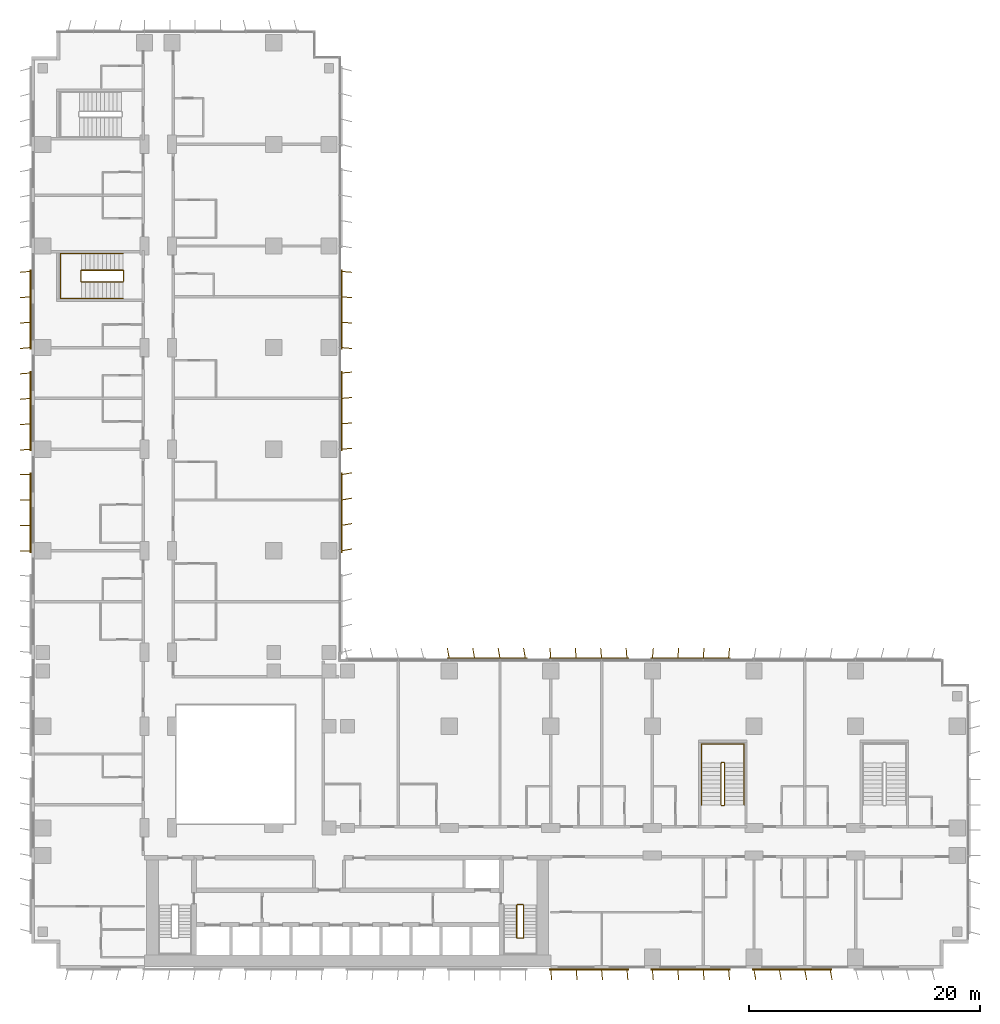
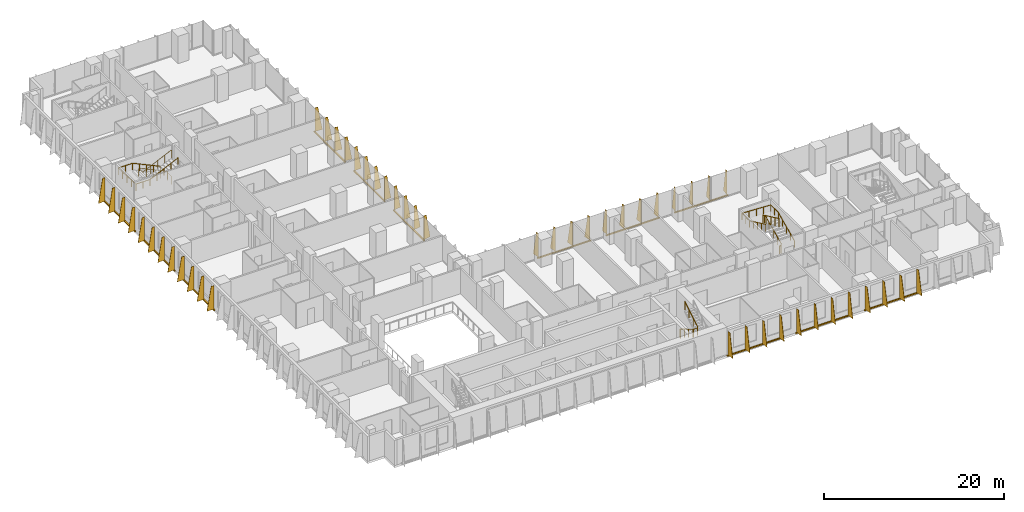
# One storey, part 22 of 24: 12 shading devices, 5 railings.
"""IFC4 building model written with IfcOpenShell, lengths in metres."""

from ifc_helpers import new_model, si_unit, direction, frame, origin, origin_2d, place, context, subcontext, project, spatial, polyline, rectangle, circle, outline, extrude, source, transform, mapped, material, layer, layer_set, type_object, element, save


model = new_model("IFC4")

# Units and contexts
model_context = context("Model", 3, precision=1e-05, world=origin(), true_north=direction((0.0, 1.0)))
body_context = subcontext(model_context, "Body", "Model", "MODEL_VIEW")
ifc_project = project(units=[si_unit("LENGTHUNIT", "METRE"), si_unit("AREAUNIT", "SQUARE_METRE"), si_unit("VOLUMEUNIT", "CUBIC_METRE"), si_unit("PLANEANGLEUNIT", "RADIAN"), si_unit("MASSUNIT", "GRAM", prefix="KILO")], contexts=[model_context])

# Site, building, storey
site_placement = place(None, origin())
site = spatial("IfcSite", under=ifc_project, at=site_placement, CompositionType="ELEMENT")
building_placement = place(site_placement, origin())
building = spatial("IfcBuilding", under=site, at=building_placement, Name="Kemantara Hotel Tower", CompositionType="ELEMENT")
storey_placement = place(building_placement, frame((0.0, 0.0, 52.5)))
storey = spatial("IfcBuildingStorey", under=building, at=storey_placement, Name="L11", CompositionType="ELEMENT", Elevation=52.5)

# Railings
ifc_material_1 = material(Name="Stainless steel balustrade", Category="steel")
railing_type_1 = type_object("IfcRailingType", Name="Stair guard 1100 mm", PredefinedType="GUARDRAIL", material=ifc_material_1)
railing_1_placement = place(storey_placement, frame((42.64990234375, 5.5, 3.699951171875)))
element("IfcRailing", 1, at=railing_1_placement, inside=storey, type_object=railing_type_1, Name="L11 ST2 stair guard 1", PredefinedType="GUARDRAIL", context=body_context, shape_type="SweptSolid", body=[
    extrude(circle(Radius=0.02392578125, at=origin_2d()), frame((0.0, 0.0, 1.076171875), z_axis=(0.0, -0.857242210791, -0.514913383045), x_axis=(1.0, 0.0, 0.0)), (0.0, 0.0, 1.0), 3.266357421875),
    extrude(circle(Radius=0.02392578125, at=origin_2d()), frame((0.0, -2.800048828125, -0.60595703125), z_axis=(-0.273343290215, -0.274683208305, -0.921863645432), x_axis=(0.708833529934, -0.705375805398, 0.0)), (0.0, 0.0, 1.0), 0.18212890625),
    extrude(circle(Radius=0.02392578125, at=origin_2d()), frame((-0.0498046875, -2.85009765625, -0.77392578125), z_axis=(-1.0, 0.0, 0.0), x_axis=(0.0, -1.0, 0.0)), (0.0, 0.0, 1.0), 0.5),
    extrude(circle(Radius=0.02392578125, at=origin_2d()), frame((-0.5498046875, -2.85009765625, -0.77392578125), z_axis=(-0.707106781187, 0.707106781187, 0.0), x_axis=(-0.707106781187, -0.707106781187, 0.0)), (0.0, 0.0, 1.0), 0.07080078125),
    extrude(circle(Radius=0.02392578125, at=origin_2d()), frame((-0.599853515625, -2.800048828125, -0.77392578125), z_axis=(0.0, 0.857242210791, -0.514913383045), x_axis=(-1.0, 0.0, 0.0)), (0.0, 0.0, 1.0), 3.266357421875),
    extrude(circle(Radius=0.02392578125, at=origin_2d()), frame((-0.599853515625, 0.0, -2.45556640625), z_axis=(0.274243871929, 0.274243871929, -0.92172696468), x_axis=(-0.707106781187, 0.707106781187, 0.0)), (0.0, 0.0, 1.0), 0.1826171875),
    extrude(circle(Radius=0.02392578125, at=origin_2d()), frame((-0.5498046875, 0.050048828125, -2.6240234375), z_axis=(1.0, 0.0, 0.0), x_axis=(0.0, 1.0, 0.0)), (0.0, 0.0, 1.0), 0.5),
    extrude(circle(Radius=0.02099609375, at=origin_2d()), origin(), (0.0, 0.0, 1.0), 1.052001953125),
    extrude(circle(Radius=0.02099609375, at=origin_2d()), frame((0.0, -0.933349609375, -0.560546875)), (0.0, 0.0, 1.0), 1.052001953125),
    extrude(circle(Radius=0.02099609375, at=origin_2d()), frame((0.0, -1.86669921875, -1.121337890625)), (0.0, 0.0, 1.0), 1.052001953125),
    extrude(circle(Radius=0.02099609375, at=origin_2d()), frame((0.0, -2.800048828125, -1.681884765625)), (0.0, 0.0, 1.0), 1.052001953125),
    extrude(circle(Radius=0.02099609375, at=origin_2d()), frame((-0.0498046875, -2.85009765625, -1.849853515625)), (0.0, 0.0, 1.0), 1.052001953125),
    extrude(circle(Radius=0.02099609375, at=origin_2d()), frame((-0.5498046875, -2.85009765625, -1.849853515625)), (0.0, 0.0, 1.0), 1.052001953125),
    extrude(circle(Radius=0.02099609375, at=origin_2d()), frame((-0.599853515625, -2.800048828125, -1.849853515625)), (0.0, 0.0, 1.0), 1.052001953125),
    extrude(circle(Radius=0.02099609375, at=origin_2d()), frame((-0.599853515625, -1.86669921875, -2.410400390625)), (0.0, 0.0, 1.0), 1.052001953125),
    extrude(circle(Radius=0.02099609375, at=origin_2d()), frame((-0.599853515625, -0.933349609375, -2.97119140625)), (0.0, 0.0, 1.0), 1.052001953125),
    extrude(circle(Radius=0.02099609375, at=origin_2d()), frame((-0.599853515625, 0.0, -3.53173828125)), (0.0, 0.0, 1.0), 1.052001953125),
    extrude(circle(Radius=0.02099609375, at=origin_2d()), frame((-0.5498046875, 0.050048828125, -3.699951171875)), (0.0, 0.0, 1.0), 1.052001953125),
    extrude(circle(Radius=0.02099609375, at=origin_2d()), frame((-0.0498046875, 0.050048828125, -3.699951171875)), (0.0, 0.0, 1.0), 1.052001953125),
])
railing_2_placement = place(storey_placement, frame((59.75, 14.199951171875, 3.699951171875)))
element("IfcRailing", 2, at=railing_2_placement, inside=storey, type_object=railing_type_1, Name="L11 ST3 stair guard 1", PredefinedType="GUARDRAIL", context=body_context, shape_type="SweptSolid", body=[
    extrude(circle(Radius=0.02392578125, at=origin_2d()), frame((0.0, 0.0, 1.076171875), z_axis=(0.0, 0.906005689286, -0.423265508849), x_axis=(-1.0, 0.0, 0.0)), (0.0, 0.0, 1.0), 3.9736328125),
    extrude(circle(Radius=0.02392578125, at=origin_2d()), frame((0.0, 3.60009765625, -0.60595703125), z_axis=(0.274582412415, 0.274582412415, -0.921525364591), x_axis=(-0.707106781187, 0.707106781187, 0.0)), (0.0, 0.0, 1.0), 0.182373046875),
    extrude(circle(Radius=0.02392578125, at=origin_2d()), frame((0.050048828125, 3.650146484375, -0.77392578125), z_axis=(1.0, 0.0, 0.0), x_axis=(0.0, 1.0, 0.0)), (0.0, 0.0, 1.0), 0.199951171875),
    extrude(circle(Radius=0.02392578125, at=origin_2d()), frame((0.25, 3.650146484375, -0.77392578125), z_axis=(0.707106781187, -0.707106781187, 0.0), x_axis=(0.707106781187, 0.707106781187, 0.0)), (0.0, 0.0, 1.0), 0.07080078125),
    extrude(circle(Radius=0.02392578125, at=origin_2d()), frame((0.300048828125, 3.60009765625, -0.77392578125), z_axis=(0.0, -0.906005689286, -0.423265508849), x_axis=(1.0, 0.0, 0.0)), (0.0, 0.0, 1.0), 3.9736328125),
    extrude(circle(Radius=0.02392578125, at=origin_2d()), frame((0.300048828125, 0.0, -2.45556640625), z_axis=(-0.274243871929, -0.274243871929, -0.92172696468), x_axis=(0.707106781187, -0.707106781187, 0.0)), (0.0, 0.0, 1.0), 0.1826171875),
    extrude(circle(Radius=0.02392578125, at=origin_2d()), frame((0.25, -0.050048828125, -2.6240234375), z_axis=(-1.0, 0.0, 0.0), x_axis=(0.0, -1.0, 0.0)), (0.0, 0.0, 1.0), 0.199951171875),
    extrude(circle(Radius=0.02099609375, at=origin_2d()), origin(), (0.0, 0.0, 1.0), 1.052001953125),
    extrude(circle(Radius=0.02099609375, at=origin_2d()), frame((0.0, 0.89990234375, -0.42041015625)), (0.0, 0.0, 1.0), 1.052001953125),
    extrude(circle(Radius=0.02099609375, at=origin_2d()), frame((0.0, 1.800048828125, -0.8408203125)), (0.0, 0.0, 1.0), 1.052001953125),
    extrude(circle(Radius=0.02099609375, at=origin_2d()), frame((0.0, 2.7001953125, -1.261474609375)), (0.0, 0.0, 1.0), 1.052001953125),
    extrude(circle(Radius=0.02099609375, at=origin_2d()), frame((0.0, 3.60009765625, -1.681884765625)), (0.0, 0.0, 1.0), 1.052001953125),
    extrude(circle(Radius=0.02099609375, at=origin_2d()), frame((0.050048828125, 3.650146484375, -1.849853515625)), (0.0, 0.0, 1.0), 1.052001953125),
    extrude(circle(Radius=0.02099609375, at=origin_2d()), frame((0.25, 3.650146484375, -1.849853515625)), (0.0, 0.0, 1.0), 1.052001953125),
    extrude(circle(Radius=0.02099609375, at=origin_2d()), frame((0.300048828125, 3.60009765625, -1.849853515625)), (0.0, 0.0, 1.0), 1.052001953125),
    extrude(circle(Radius=0.02099609375, at=origin_2d()), frame((0.300048828125, 2.7001953125, -2.270263671875)), (0.0, 0.0, 1.0), 1.052001953125),
    extrude(circle(Radius=0.02099609375, at=origin_2d()), frame((0.300048828125, 1.800048828125, -2.69091796875)), (0.0, 0.0, 1.0), 1.052001953125),
    extrude(circle(Radius=0.02099609375, at=origin_2d()), frame((0.300048828125, 0.89990234375, -3.111328125)), (0.0, 0.0, 1.0), 1.052001953125),
    extrude(circle(Radius=0.02099609375, at=origin_2d()), frame((0.300048828125, 0.0, -3.53173828125)), (0.0, 0.0, 1.0), 1.052001953125),
    extrude(circle(Radius=0.02099609375, at=origin_2d()), frame((0.25, -0.050048828125, -3.699951171875)), (0.0, 0.0, 1.0), 1.052001953125),
    extrude(circle(Radius=0.02099609375, at=origin_2d()), frame((0.050048828125, -0.050048828125, -3.699951171875)), (0.0, 0.0, 1.0), 1.052001953125),
])
railing_3_placement = place(storey_placement, frame((7.949951171875, 59.5, 3.699951171875)))
element("IfcRailing", 3, at=railing_3_placement, inside=storey, type_object=railing_type_1, Name="L11 ST4 stair guard 1", PredefinedType="GUARDRAIL", context=body_context, shape_type="SweptSolid", body=[
    extrude(circle(Radius=0.02392578125, at=origin_2d()), frame((0.0, 0.0, 1.076171875), z_axis=(-0.905994681025, 0.0, -0.423289071386), x_axis=(0.0, -1.0, 0.0)), (0.0, 0.0, 1.0), 3.973388671875),
    extrude(circle(Radius=0.02392578125, at=origin_2d()), frame((-3.599853515625, 0.0, -0.60595703125), z_axis=(-0.274582412415, 0.274582412415, -0.921525364591), x_axis=(-0.707106781187, -0.707106781187, 0.0)), (0.0, 0.0, 1.0), 0.182373046875),
    extrude(circle(Radius=0.02392578125, at=origin_2d()), frame((-3.64990234375, 0.050048828125, -0.77392578125), z_axis=(0.0, 1.0, 0.0), x_axis=(-1.0, 0.0, 0.0)), (0.0, 0.0, 1.0), 0.89990234375),
    extrude(circle(Radius=0.02392578125, at=origin_2d()), frame((-3.64990234375, 0.949951171875, -0.77392578125), z_axis=(0.707106781187, 0.707106781187, 0.0), x_axis=(-0.707106781187, 0.707106781187, 0.0)), (0.0, 0.0, 1.0), 0.07080078125),
    extrude(circle(Radius=0.02392578125, at=origin_2d()), frame((-3.599853515625, 1.0, -0.77392578125), z_axis=(0.905994681025, 0.0, -0.423289071386), x_axis=(0.0, 1.0, 0.0)), (0.0, 0.0, 1.0), 3.973388671875),
    extrude(circle(Radius=0.02392578125, at=origin_2d()), frame((0.0, 1.0, -2.45556640625), z_axis=(0.274243871929, -0.274243871929, -0.92172696468), x_axis=(0.707106781187, 0.707106781187, 0.0)), (0.0, 0.0, 1.0), 0.1826171875),
    extrude(circle(Radius=0.02392578125, at=origin_2d()), frame((0.050048828125, 0.949951171875, -2.6240234375), z_axis=(0.0, -1.0, 0.0), x_axis=(1.0, 0.0, 0.0)), (0.0, 0.0, 1.0), 0.89990234375),
    extrude(circle(Radius=0.02099609375, at=origin_2d()), origin(), (0.0, 0.0, 1.0), 1.052001953125),
    extrude(circle(Radius=0.02099609375, at=origin_2d()), frame((-0.89990234375, 0.0, -0.42041015625)), (0.0, 0.0, 1.0), 1.052001953125),
    extrude(circle(Radius=0.02099609375, at=origin_2d()), frame((-1.7998046875, 0.0, -0.8408203125)), (0.0, 0.0, 1.0), 1.052001953125),
    extrude(circle(Radius=0.02099609375, at=origin_2d()), frame((-2.699951171875, 0.0, -1.261474609375)), (0.0, 0.0, 1.0), 1.052001953125),
    extrude(circle(Radius=0.02099609375, at=origin_2d()), frame((-3.599853515625, 0.0, -1.681884765625)), (0.0, 0.0, 1.0), 1.052001953125),
    extrude(circle(Radius=0.02099609375, at=origin_2d()), frame((-3.64990234375, 0.050048828125, -1.849853515625)), (0.0, 0.0, 1.0), 1.052001953125),
    extrude(circle(Radius=0.02099609375, at=origin_2d()), frame((-3.64990234375, 0.949951171875, -1.849853515625)), (0.0, 0.0, 1.0), 1.052001953125),
    extrude(circle(Radius=0.02099609375, at=origin_2d()), frame((-3.599853515625, 1.0, -1.849853515625)), (0.0, 0.0, 1.0), 1.052001953125),
    extrude(circle(Radius=0.02099609375, at=origin_2d()), frame((-2.699951171875, 1.0, -2.270263671875)), (0.0, 0.0, 1.0), 1.052001953125),
    extrude(circle(Radius=0.02099609375, at=origin_2d()), frame((-1.7998046875, 1.0, -2.69091796875)), (0.0, 0.0, 1.0), 1.052001953125),
    extrude(circle(Radius=0.02099609375, at=origin_2d()), frame((-0.89990234375, 1.0, -3.111328125)), (0.0, 0.0, 1.0), 1.052001953125),
    extrude(circle(Radius=0.02099609375, at=origin_2d()), frame((0.0, 1.0, -3.53173828125)), (0.0, 0.0, 1.0), 1.052001953125),
    extrude(circle(Radius=0.02099609375, at=origin_2d()), frame((0.050048828125, 0.949951171875, -3.699951171875)), (0.0, 0.0, 1.0), 1.052001953125),
    extrude(circle(Radius=0.02099609375, at=origin_2d()), frame((0.050048828125, 0.050048828125, -3.699951171875)), (0.0, 0.0, 1.0), 1.052001953125),
])
railing_type_2 = type_object("IfcRailingType", Name="Stair handrail 900 mm", PredefinedType="HANDRAIL", material=ifc_material_1)
railing_4_placement = place(storey_placement, frame((61.75, 14.199951171875, 0.168212890625)))
element("IfcRailing", 4, at=railing_4_placement, inside=storey, type_object=railing_type_2, Name="L11 ST3 stair handrail 1", PredefinedType="HANDRAIL", context=body_context, shape_type="SweptSolid", body=[
    extrude(circle(Radius=0.02392578125, at=origin_2d()), frame((0.0, 0.0, 0.8759765625), z_axis=(0.0, 0.906005689286, 0.423265508849), x_axis=(-1.0, 0.0, 0.0)), (0.0, 0.0, 1.0), 3.9736328125),
    extrude(circle(Radius=0.02392578125, at=origin_2d()), frame((0.0, 3.60009765625, 2.5576171875), z_axis=(0.0, 1.0, 0.0), x_axis=(-1.0, 0.0, 0.0)), (0.0, 0.0, 1.0), 1.679931640625),
    extrude(circle(Radius=0.02392578125, at=origin_2d()), frame((0.0, 5.280029296875, 2.5576171875), z_axis=(-0.998971120908, 0.0, 0.045350849963), x_axis=(0.0, -1.0, 0.0)), (0.0, 0.0, 1.0), 3.703857421875),
    extrude(circle(Radius=0.02392578125, at=origin_2d()), frame((-3.699951171875, 5.280029296875, 2.7255859375), z_axis=(0.0, -1.0, 0.0), x_axis=(1.0, 0.0, 0.0)), (0.0, 0.0, 1.0), 1.679931640625),
    extrude(circle(Radius=0.02392578125, at=origin_2d()), frame((-3.699951171875, 3.60009765625, 2.7255859375), z_axis=(0.0, -0.906005689286, 0.423265508849), x_axis=(1.0, 0.0, 0.0)), (0.0, 0.0, 1.0), 3.9736328125),
    extrude(circle(Radius=0.02099609375, at=origin_2d()), origin(), (0.0, 0.0, 1.0), 0.851806640625),
    extrude(circle(Radius=0.02099609375, at=origin_2d()), frame((0.0, 0.89990234375, 0.42041015625)), (0.0, 0.0, 1.0), 0.851806640625),
    extrude(circle(Radius=0.02099609375, at=origin_2d()), frame((0.0, 1.800048828125, 0.8408203125)), (0.0, 0.0, 1.0), 0.851806640625),
    extrude(circle(Radius=0.02099609375, at=origin_2d()), frame((0.0, 2.7001953125, 1.261474609375)), (0.0, 0.0, 1.0), 0.851806640625),
    extrude(circle(Radius=0.02099609375, at=origin_2d()), frame((0.0, 3.60009765625, 1.681884765625)), (0.0, 0.0, 1.0), 0.851806640625),
    extrude(circle(Radius=0.02099609375, at=origin_2d()), frame((0.0, 4.43994140625, 1.681884765625)), (0.0, 0.0, 1.0), 0.851806640625),
    extrude(circle(Radius=0.02099609375, at=origin_2d()), frame((0.0, 5.280029296875, 1.681884765625)), (0.0, 0.0, 1.0), 0.851806640625),
    extrude(circle(Radius=0.02099609375, at=origin_2d()), frame((-0.925048828125, 5.280029296875, 1.723876953125)), (0.0, 0.0, 1.0), 0.851806640625),
    extrude(circle(Radius=0.02099609375, at=origin_2d()), frame((-1.85009765625, 5.280029296875, 1.765869140625)), (0.0, 0.0, 1.0), 0.851806640625),
    extrude(circle(Radius=0.02099609375, at=origin_2d()), frame((-2.77490234375, 5.280029296875, 1.807861328125)), (0.0, 0.0, 1.0), 0.851806640625),
    extrude(circle(Radius=0.02099609375, at=origin_2d()), frame((-3.699951171875, 5.280029296875, 1.849853515625)), (0.0, 0.0, 1.0), 0.851806640625),
    extrude(circle(Radius=0.02099609375, at=origin_2d()), frame((-3.699951171875, 4.43994140625, 1.849853515625)), (0.0, 0.0, 1.0), 0.851806640625),
    extrude(circle(Radius=0.02099609375, at=origin_2d()), frame((-3.699951171875, 3.60009765625, 1.849853515625)), (0.0, 0.0, 1.0), 0.851806640625),
    extrude(circle(Radius=0.02099609375, at=origin_2d()), frame((-3.699951171875, 2.7001953125, 2.270263671875)), (0.0, 0.0, 1.0), 0.851806640625),
    extrude(circle(Radius=0.02099609375, at=origin_2d()), frame((-3.699951171875, 1.800048828125, 2.69091796875)), (0.0, 0.0, 1.0), 0.851806640625),
    extrude(circle(Radius=0.02099609375, at=origin_2d()), frame((-3.699951171875, 0.89990234375, 3.111328125)), (0.0, 0.0, 1.0), 0.851806640625),
    extrude(circle(Radius=0.02099609375, at=origin_2d()), frame((-3.699951171875, 0.0, 3.53173828125)), (0.0, 0.0, 1.0), 0.851806640625),
])
railing_5_placement = place(storey_placement, frame((7.949951171875, 61.949951171875, 0.168212890625)))
element("IfcRailing", 5, at=railing_5_placement, inside=storey, type_object=railing_type_2, Name="L11 ST4 stair handrail 1", PredefinedType="HANDRAIL", context=body_context, shape_type="SweptSolid", body=[
    extrude(circle(Radius=0.02392578125, at=origin_2d()), frame((0.0, 0.0, 0.8759765625), z_axis=(-0.905994681025, 0.0, 0.423289071386), x_axis=(0.0, -1.0, 0.0)), (0.0, 0.0, 1.0), 3.973388671875),
    extrude(circle(Radius=0.02392578125, at=origin_2d()), frame((-3.599853515625, 0.0, 2.5576171875), z_axis=(-1.0, 0.0, 0.0), x_axis=(0.0, -1.0, 0.0)), (0.0, 0.0, 1.0), 1.830078125),
    extrude(circle(Radius=0.02392578125, at=origin_2d()), frame((-5.429931640625, 0.0, 2.5576171875), z_axis=(0.0, -0.999073776461, 0.043030096294), x_axis=(1.0, 0.0, 0.0)), (0.0, 0.0, 1.0), 3.903564453125),
    extrude(circle(Radius=0.02392578125, at=origin_2d()), frame((-5.429931640625, -3.89990234375, 2.7255859375), z_axis=(1.0, 0.0, 0.0), x_axis=(0.0, 1.0, 0.0)), (0.0, 0.0, 1.0), 1.830078125),
    extrude(circle(Radius=0.02392578125, at=origin_2d()), frame((-3.599853515625, -3.89990234375, 2.7255859375), z_axis=(0.905994681025, 0.0, 0.423289071386), x_axis=(0.0, 1.0, 0.0)), (0.0, 0.0, 1.0), 3.973388671875),
    extrude(circle(Radius=0.02099609375, at=origin_2d()), origin(), (0.0, 0.0, 1.0), 0.851806640625),
    extrude(circle(Radius=0.02099609375, at=origin_2d()), frame((-0.89990234375, 0.0, 0.42041015625)), (0.0, 0.0, 1.0), 0.851806640625),
    extrude(circle(Radius=0.02099609375, at=origin_2d()), frame((-1.7998046875, 0.0, 0.8408203125)), (0.0, 0.0, 1.0), 0.851806640625),
    extrude(circle(Radius=0.02099609375, at=origin_2d()), frame((-2.699951171875, 0.0, 1.261474609375)), (0.0, 0.0, 1.0), 0.851806640625),
    extrude(circle(Radius=0.02099609375, at=origin_2d()), frame((-3.599853515625, 0.0, 1.681884765625)), (0.0, 0.0, 1.0), 0.851806640625),
    extrude(circle(Radius=0.02099609375, at=origin_2d()), frame((-4.514892578125, 0.0, 1.681884765625)), (0.0, 0.0, 1.0), 0.851806640625),
    extrude(circle(Radius=0.02099609375, at=origin_2d()), frame((-5.429931640625, 0.0, 1.681884765625)), (0.0, 0.0, 1.0), 0.851806640625),
    extrude(circle(Radius=0.02099609375, at=origin_2d()), frame((-5.429931640625, -0.97509765625, 1.723876953125)), (0.0, 0.0, 1.0), 0.851806640625),
    extrude(circle(Radius=0.02099609375, at=origin_2d()), frame((-5.429931640625, -1.949951171875, 1.765869140625)), (0.0, 0.0, 1.0), 0.851806640625),
    extrude(circle(Radius=0.02099609375, at=origin_2d()), frame((-5.429931640625, -2.9248046875, 1.807861328125)), (0.0, 0.0, 1.0), 0.851806640625),
    extrude(circle(Radius=0.02099609375, at=origin_2d()), frame((-5.429931640625, -3.89990234375, 1.849853515625)), (0.0, 0.0, 1.0), 0.851806640625),
    extrude(circle(Radius=0.02099609375, at=origin_2d()), frame((-4.514892578125, -3.89990234375, 1.849853515625)), (0.0, 0.0, 1.0), 0.851806640625),
    extrude(circle(Radius=0.02099609375, at=origin_2d()), frame((-3.599853515625, -3.89990234375, 1.849853515625)), (0.0, 0.0, 1.0), 0.851806640625),
    extrude(circle(Radius=0.02099609375, at=origin_2d()), frame((-2.699951171875, -3.89990234375, 2.270263671875)), (0.0, 0.0, 1.0), 0.851806640625),
    extrude(circle(Radius=0.02099609375, at=origin_2d()), frame((-1.7998046875, -3.89990234375, 2.69091796875)), (0.0, 0.0, 1.0), 0.851806640625),
    extrude(circle(Radius=0.02099609375, at=origin_2d()), frame((-0.89990234375, -3.89990234375, 3.111328125)), (0.0, 0.0, 1.0), 0.851806640625),
    extrude(circle(Radius=0.02099609375, at=origin_2d()), frame((0.0, -3.89990234375, 3.53173828125)), (0.0, 0.0, 1.0), 0.851806640625),
])

# Shading devices
ifc_material_2 = material(Name="Perforated aluminium plate 4 mm bronze anodised", Category="aluminium")
ifc_layer_1 = layer(ifc_material_2, 0.0400390625)
ifc_layer_set_1 = layer_set([ifc_layer_1], Name="Perforated aluminium plate 4 mm bronze anodised")
shading_device_type_1 = type_object("IfcShadingDeviceType", Name="SCREEN FIN CASSETTE, 4 BLADES AT -5.0 DEG, 3200 HIGH", PredefinedType="USERDEFINED", material=ifc_layer_set_1)
shared_shape_1 = source(origin(), body_context, "Body", "SweptSolid", [
    extrude(rectangle(XDim=6.89990234375, YDim=0.14990234375, at=origin_2d()), frame((3.300048828125, -0.074951171875, -0.14990234375), z_axis=(0.0, 0.0, 1.0), x_axis=(1.0, 0.0, 0.0)), (0.0, 0.0, 1.0), 0.14990234375),
    extrude(outline(polyline([(0.0, 0.0), (0.89990234375, 0.0), (0.35009765625, 3.199951171875), (0.0, 3.199951171875), (0.0, 0.0)])), frame((0.02001953125, -0.07666015625, 0.0), z_axis=(-0.996376129781, 0.085056498884, 0.0), x_axis=(-0.085056498884, -0.996376129781, 0.0)), (0.0, 0.0, 1.0), 0.040283203125),
    extrude(outline(polyline([(0.0, 0.0), (0.89990234375, 0.0), (0.35009765625, 3.199951171875), (0.0, 3.199951171875), (0.0, 0.0)])), frame((2.219970703125, -0.07666015625, 0.0), z_axis=(-0.996331773833, 0.085574508182, 0.0), x_axis=(-0.085574508182, -0.996331773833, 0.0)), (0.0, 0.0, 1.0), 0.0400390625),
    extrude(outline(polyline([(0.0, 0.0), (0.89990234375, 0.0), (0.35009765625, 3.199951171875), (0.0, 3.199951171875), (0.0, 0.0)])), frame((4.419921875, -0.07666015625, 0.0), z_axis=(-0.996331773833, 0.085574508182, 0.0), x_axis=(-0.085574508182, -0.996331773833, 0.0)), (0.0, 0.0, 1.0), 0.0400390625),
    extrude(outline(polyline([(0.0, 0.0), (0.89990234375, 0.0), (0.35009765625, 3.199951171875), (0.0, 3.199951171875), (0.0, 0.0)])), frame((6.619873046875, -0.07666015625, 0.0), z_axis=(-0.996331773833, 0.085574508182, 0.0), x_axis=(-0.085574508182, -0.996331773833, 0.0)), (0.0, 0.0, 1.0), 0.0400390625),
])
for number, where, z_axis, x_axis, name in (
    (6, (60.39990234375, 26.800048828125, 0.10009765625), (0.0, 0.0, 1.0), (-1.0, 0.0, 0.0), "SCREEN FIN CASSETTE L11 T1-R07-3"),
    (7, (26.800048828125, 53.800048828125, 0.10009765625), (0.0, 0.0, 1.0), (0.0, 1.0, 0.0), "SCREEN FIN CASSETTE L11 T1-R08-4"),
):
    element("IfcShadingDevice", number, at=place(storey_placement, frame(where, z_axis=z_axis, x_axis=x_axis)), inside=storey, type_object=shading_device_type_1, Name=name, ObjectType="SCREEN FIN", PredefinedType="USERDEFINED", context=body_context, shape_type="MappedRepresentation", body=[
        mapped(shared_shape_1, transform((0.0, 0.0, 0.0))),
    ])
ifc_layer_2 = layer(ifc_material_2, 0.0400390625)
ifc_layer_set_2 = layer_set([ifc_layer_2], Name="Perforated aluminium plate 4 mm bronze anodised")
shading_device_type_2 = type_object("IfcShadingDeviceType", Name="SCREEN FIN CASSETTE, 4 BLADES AT +0.0 DEG, 3200 HIGH", PredefinedType="USERDEFINED", material=ifc_layer_set_2)
shared_shape_2 = source(origin(), body_context, "Body", "SweptSolid", [
    extrude(rectangle(XDim=6.89990234375, YDim=0.14990234375, at=origin_2d()), frame((3.300048828125, -0.074951171875, -0.14990234375), z_axis=(0.0, 0.0, 1.0), x_axis=(1.0, 0.0, 0.0)), (0.0, 0.0, 1.0), 0.14990234375),
    extrude(outline(polyline([(0.0, 0.0), (0.89990234375, 0.0), (0.35009765625, 3.199951171875), (0.0, 3.199951171875), (0.0, 0.0)])), frame((0.02001953125, -0.074951171875, 0.0), z_axis=(-1.0, 0.0, 0.0), x_axis=(0.0, -1.0, 0.0)), (0.0, 0.0, 1.0), 0.0400390625),
    extrude(outline(polyline([(0.0, 0.0), (0.89990234375, 0.0), (0.35009765625, 3.199951171875), (0.0, 3.199951171875), (0.0, 0.0)])), frame((2.219970703125, -0.074951171875, 0.0), z_axis=(-1.0, 0.0, 0.0), x_axis=(0.0, -1.0, 0.0)), (0.0, 0.0, 1.0), 0.0400390625),
    extrude(outline(polyline([(0.0, 0.0), (0.89990234375, 0.0), (0.35009765625, 3.199951171875), (0.0, 3.199951171875), (0.0, 0.0)])), frame((4.419921875, -0.074951171875, 0.0), z_axis=(-1.0, 0.0, 0.0), x_axis=(0.0, -1.0, 0.0)), (0.0, 0.0, 1.0), 0.0400390625),
    extrude(outline(polyline([(0.0, 0.0), (0.89990234375, 0.0), (0.35009765625, 3.199951171875), (0.0, 3.199951171875), (0.0, 0.0)])), frame((6.6201171875, -0.074951171875, 0.0), z_axis=(-1.0, 0.0, 0.0), x_axis=(0.0, -1.0, 0.0)), (0.0, 0.0, 1.0), 0.0400390625),
])
shading_device_placement = place(storey_placement, frame((0.0, 42.800048828125, 0.10009765625), z_axis=(0.0, 0.0, 1.0), x_axis=(0.0, -1.0, 0.0)))
element("IfcShadingDevice", 8, at=shading_device_placement, inside=storey, type_object=shading_device_type_2, Name="SCREEN FIN CASSETTE L11 T1-R14-5", ObjectType="SCREEN FIN", PredefinedType="USERDEFINED", context=body_context, shape_type="MappedRepresentation", body=[
    mapped(shared_shape_2, transform((0.0, 0.0, 0.0))),
])
ifc_layer_3 = layer(ifc_material_2, 0.0400390625)
ifc_layer_set_3 = layer_set([ifc_layer_3], Name="Perforated aluminium plate 4 mm bronze anodised")
shading_device_type_3 = type_object("IfcShadingDeviceType", Name="SCREEN FIN CASSETTE, 4 BLADES AT +5.0 DEG, 3200 HIGH", PredefinedType="USERDEFINED", material=ifc_layer_set_3)
shared_shape_3 = source(origin(), body_context, "Body", "SweptSolid", [
    extrude(rectangle(XDim=6.89990234375, YDim=0.14990234375, at=origin_2d()), frame((3.300048828125, -0.074951171875, -0.14990234375), z_axis=(0.0, 0.0, 1.0), x_axis=(1.0, 0.0, 0.0)), (0.0, 0.0, 1.0), 0.14990234375),
    extrude(outline(polyline([(0.0, 0.0), (0.89990234375, 0.0), (0.35009765625, 3.199951171875), (0.0, 3.199951171875), (0.0, 0.0)])), frame((0.02001953125, -0.0732421875, 0.0), z_axis=(-0.996376129781, -0.085056498884, 0.0), x_axis=(0.085056498884, -0.996376129781, 0.0)), (0.0, 0.0, 1.0), 0.040283203125),
    extrude(outline(polyline([(0.0, 0.0), (0.89990234375, 0.0), (0.35009765625, 3.199951171875), (0.0, 3.199951171875), (0.0, 0.0)])), frame((2.219970703125, -0.0732421875, 0.0), z_axis=(-0.996331773833, -0.085574508182, 0.0), x_axis=(0.085574508182, -0.996331773833, 0.0)), (0.0, 0.0, 1.0), 0.0400390625),
    extrude(outline(polyline([(0.0, 0.0), (0.89990234375, 0.0), (0.35009765625, 3.199951171875), (0.0, 3.199951171875), (0.0, 0.0)])), frame((4.419921875, -0.0732421875, 0.0), z_axis=(-0.996331773833, -0.085574508182, 0.0), x_axis=(0.085574508182, -0.996331773833, 0.0)), (0.0, 0.0, 1.0), 0.0400390625),
    extrude(outline(polyline([(0.0, 0.0), (0.89990234375, 0.0), (0.35009765625, 3.199951171875), (0.0, 3.199951171875), (0.0, 0.0)])), frame((6.619873046875, -0.0732421875, 0.0), z_axis=(-0.996331773833, -0.085574508182, 0.0), x_axis=(0.085574508182, -0.996331773833, 0.0)), (0.0, 0.0, 1.0), 0.0400390625),
])
for number, where, z_axis, x_axis, name in (
    (9, (45.0, 0.0, 0.10009765625), (0.0, 0.0, 1.0), (1.0, 0.0, 0.0), "SCREEN FIN CASSETTE L11 T1-R01-6"),
    (10, (53.800048828125, 0.0, 0.10009765625), (0.0, 0.0, 1.0), (1.0, 0.0, 0.0), "SCREEN FIN CASSETTE L11 T1-R01-7"),
    (11, (51.60009765625, 26.800048828125, 0.10009765625), (0.0, 0.0, 1.0), (-1.0, 0.0, 0.0), "SCREEN FIN CASSETTE L11 T1-R07-4"),
    (12, (26.800048828125, 45.0, 0.10009765625), (0.0, 0.0, 1.0), (0.0, 1.0, 0.0), "SCREEN FIN CASSETTE L11 T1-R08-3"),
    (13, (0.0, 60.39990234375, 0.10009765625), (0.0, 0.0, 1.0), (0.0, -1.0, 0.0), "SCREEN FIN CASSETTE L11 T1-R14-3"),
    (14, (0.0, 51.60009765625, 0.10009765625), (0.0, 0.0, 1.0), (0.0, -1.0, 0.0), "SCREEN FIN CASSETTE L11 T1-R14-4"),
):
    element("IfcShadingDevice", number, at=place(storey_placement, frame(where, z_axis=z_axis, x_axis=x_axis)), inside=storey, type_object=shading_device_type_3, Name=name, ObjectType="SCREEN FIN", PredefinedType="USERDEFINED", context=body_context, shape_type="MappedRepresentation", body=[
        mapped(shared_shape_3, transform((0.0, 0.0, 0.0))),
    ])
ifc_layer_4 = layer(ifc_material_2, 0.0400390625)
ifc_layer_set_4 = layer_set([ifc_layer_4], Name="Perforated aluminium plate 4 mm bronze anodised")
shading_device_type_4 = type_object("IfcShadingDeviceType", Name="SCREEN FIN CASSETTE, 4 BLADES AT +10.0 DEG, 3200 HIGH", PredefinedType="USERDEFINED", material=ifc_layer_set_4)
shared_shape_4 = source(origin(), body_context, "Body", "SweptSolid", [
    extrude(rectangle(XDim=6.89990234375, YDim=0.14990234375, at=origin_2d()), frame((3.300048828125, -0.074951171875, -0.14990234375), z_axis=(0.0, 0.0, 1.0), x_axis=(1.0, 0.0, 0.0)), (0.0, 0.0, 1.0), 0.14990234375),
    extrude(outline(polyline([(0.0, 0.0), (0.89990234375, 0.0), (0.35009765625, 3.199951171875), (0.0, 3.199951171875), (0.0, 0.0)])), frame((0.019775390625, -0.071533203125, 0.0), z_axis=(-0.985389793052, -0.170314285219, 0.0), x_axis=(0.170314285219, -0.985389793052, 0.0)), (0.0, 0.0, 1.0), 0.0400390625),
    extrude(outline(polyline([(0.0, 0.0), (0.89990234375, 0.0), (0.35009765625, 3.199951171875), (0.0, 3.199951171875), (0.0, 0.0)])), frame((2.2197265625, -0.071533203125, 0.0), z_axis=(-0.98521175482, -0.171341174751, 0.0), x_axis=(0.171341174751, -0.98521175482, 0.0)), (0.0, 0.0, 1.0), 0.039794921875),
    extrude(outline(polyline([(0.0, 0.0), (0.89990234375, 0.0), (0.35009765625, 3.199951171875), (0.0, 3.199951171875), (0.0, 0.0)])), frame((4.419677734375, -0.071533203125, 0.0), z_axis=(-0.98521175482, -0.171341174751, 0.0), x_axis=(0.171341174751, -0.98521175482, 0.0)), (0.0, 0.0, 1.0), 0.039794921875),
    extrude(outline(polyline([(0.0, 0.0), (0.89990234375, 0.0), (0.35009765625, 3.199951171875), (0.0, 3.199951171875), (0.0, 0.0)])), frame((6.61962890625, -0.071533203125, 0.0), z_axis=(-0.98521175482, -0.171341174751, 0.0), x_axis=(0.171341174751, -0.98521175482, 0.0)), (0.0, 0.0, 1.0), 0.039794921875),
])
for number, where, z_axis, x_axis, name in (
    (15, (62.60009765625, 0.0, 0.10009765625), (0.0, 0.0, 1.0), (1.0, 0.0, 0.0), "SCREEN FIN CASSETTE L11 T1-R01-8"),
    (16, (42.800048828125, 26.800048828125, 0.10009765625), (0.0, 0.0, 1.0), (-1.0, 0.0, 0.0), "SCREEN FIN CASSETTE L11 T1-R07-5"),
    (17, (26.800048828125, 36.199951171875, 0.10009765625), (0.0, 0.0, 1.0), (0.0, 1.0, 0.0), "SCREEN FIN CASSETTE L11 T1-R08-2"),
):
    element("IfcShadingDevice", number, at=place(storey_placement, frame(where, z_axis=z_axis, x_axis=x_axis)), inside=storey, type_object=shading_device_type_4, Name=name, ObjectType="SCREEN FIN", PredefinedType="USERDEFINED", context=body_context, shape_type="MappedRepresentation", body=[
        mapped(shared_shape_4, transform((0.0, 0.0, 0.0))),
    ])

save(model, "model.ifc")
